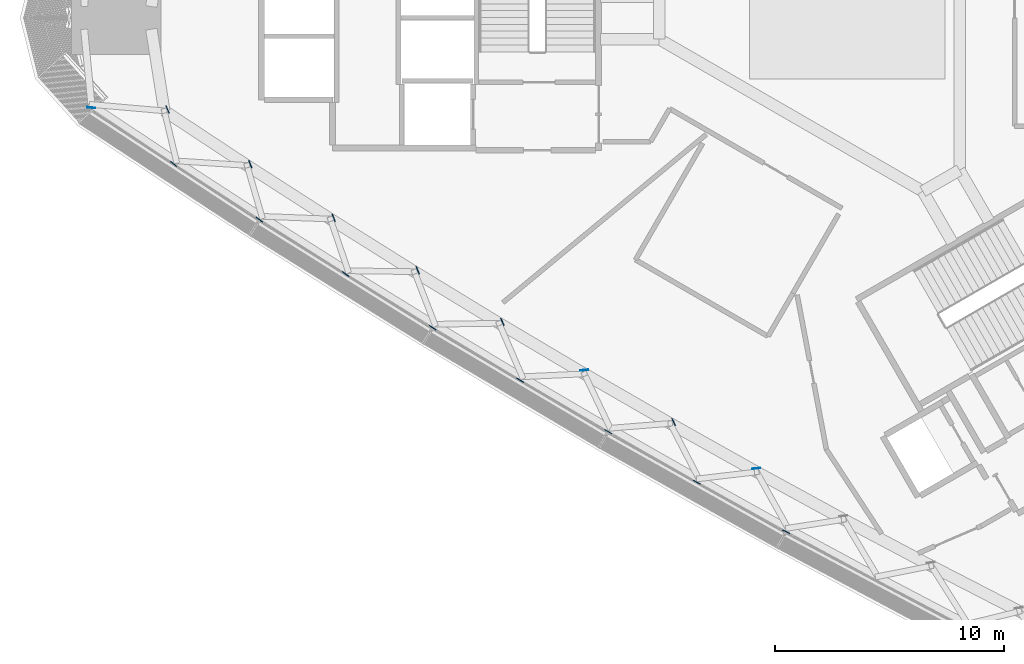
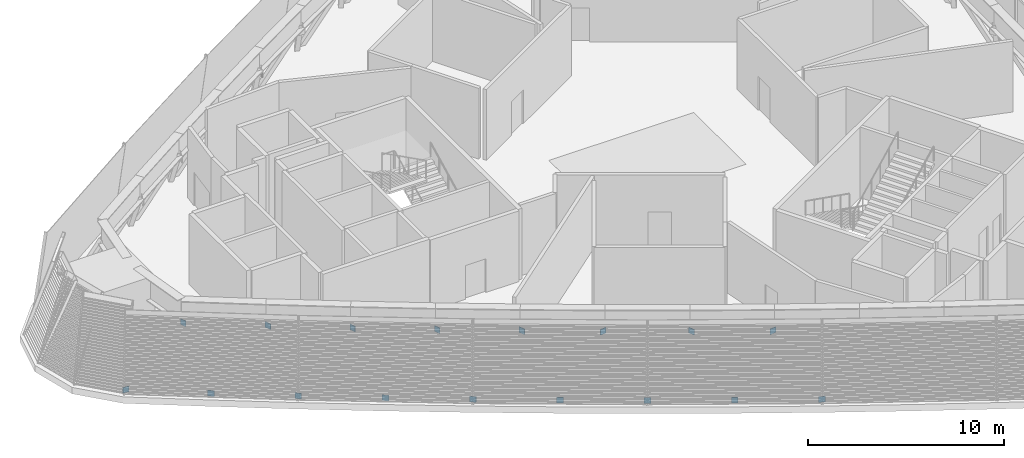
# One storey, part 6 of 17: 17 plates.
"""IFC4 building model written with IfcOpenShell, lengths in metres."""

from ifc_helpers import new_model, si_unit, direction, frame, origin, origin_2d, place, context, subcontext, project, spatial, rectangle, extrude, material, layer, layer_set, type_object, element, save


model = new_model("IFC4")

# Units and contexts
model_context = context("Model", 3, precision=1e-05, world=origin(), true_north=direction((0.0, 1.0)))
body_context = subcontext(model_context, "Body", "Model", "MODEL_VIEW")
ifc_project = project(units=[si_unit("LENGTHUNIT", "METRE"), si_unit("AREAUNIT", "SQUARE_METRE"), si_unit("VOLUMEUNIT", "CUBIC_METRE"), si_unit("PLANEANGLEUNIT", "RADIAN"), si_unit("MASSUNIT", "GRAM", prefix="KILO")], contexts=[model_context])

# Site, building, storey
site_placement = place(None, origin())
site = spatial("IfcSite", under=ifc_project, at=site_placement, CompositionType="ELEMENT")
building_placement = place(site_placement, origin())
building = spatial("IfcBuilding", under=site, at=building_placement, Name="Tamra Quay Hotel Tower", CompositionType="ELEMENT")
storey_placement = place(building_placement, frame((0.0, 0.0, 119.0)))
storey = spatial("IfcBuildingStorey", under=building, at=storey_placement, Name="L29", CompositionType="ELEMENT", Elevation=119.0)

# Plates
ifc_material = material(Name="Structural steel IS 2062 E350", Category="steel")
ifc_layer = layer(ifc_material, 0.030029296875)
ifc_layer_set = layer_set([ifc_layer], Name="BRACE END PLATE 30")
plate_type = type_object("IfcPlateType", Name="BRACE END PLATE 30", PredefinedType="SHEET", material=ifc_layer_set)
for number, where, z_axis, x_axis, name in (
    (1, (-32.963623046875, -3.916015625, -0.400146484375), (0.0, 0.0, 1.0), (0.08678018001, 0.996227484241, 0.0), "BEP-L29-027"),
    (2, (-29.363525390625, -6.372314453125, -0.400146484375), (0.0, 0.0, 1.0), (0.643983439778, 0.765039429894, 0.0), "BEP-L29-028"),
    (3, (-25.6279296875, -8.79296875, -0.400146484375), (0.0, 0.0, 1.0), (0.615925505691, 0.787804399225, 0.0), "BEP-L29-029"),
    (4, (-21.864990234375, -11.170654296875, -0.400146484375), (0.0, 0.0, 1.0), (0.587576256533, 0.809168797445, 0.0), "BEP-L29-030"),
    (5, (-18.0751953125, -13.5048828125, -0.400146484375), (0.0, 0.0, 1.0), (0.558776113109, 0.829318548821, 0.0), "BEP-L29-031"),
    (6, (-14.259033203125, -15.7958984375, -0.400146484375), (0.0, 0.0, 1.0), (0.529642452985, 0.848221004218, 0.0), "BEP-L29-032"),
    (7, (-10.4169921875, -18.042724609375, -0.400146484375), (0.0, 0.0, 1.0), (0.500009068969, 0.866020167749, 0.0), "BEP-L29-033"),
    (8, (-6.550048828125, -20.24658203125, -0.400146484375), (0.0, 0.0, 1.0), (0.469758170416, 0.882795141201, 0.0), "BEP-L29-034"),
    (9, (-2.658203125, -22.406005859375, -0.400146484375), (0.0, 0.0, 1.0), (0.43882914777, 0.898570519808, 0.0), "BEP-L29-035"),
    (10, (-29.62939453125, -3.99462890625, 2.64990234375), (0.0, 0.0, 1.0), (0.925475064417, 0.378808533618, 0.0), "BEP-L29-064"),
    (11, (-26.02197265625, -6.37841796875, 2.64990234375), (0.0, 0.0, 1.0), (0.931818602845, 0.362924360429, 0.0), "BEP-L29-065"),
    (12, (-22.38671875, -8.719482421875, 2.64990234375), (0.0, 0.0, 1.0), (0.938149042745, 0.346231676189, 0.0), "BEP-L29-066"),
    (13, (-18.723388671875, -11.008056640625, 2.64990234375), (0.0, 0.0, 1.0), (0.925809243152, 0.377991065099, 0.0), "BEP-L29-067"),
    (14, (-15.03369140625, -13.252685546875, 2.64990234375), (0.0, 0.0, 1.0), (0.912567443788, 0.408926228723, 0.0), "BEP-L29-068"),
    (15, (-11.47119140625, -15.360595703125, 2.64990234375), (0.0, 0.0, 1.0), (-0.087934648136, 0.996126245843, 0.0), "BEP-L29-069"),
    (16, (-7.567138671875, -17.61474609375, 2.64990234375), (0.0, 0.0, 1.0), (0.906640903806, 0.421903154225, 0.0), "BEP-L29-070"),
    (17, (-3.960205078125, -19.645751953125, 2.64990234375), (0.0, 0.0, 1.0), (-0.102138010943, 0.994770238156, 0.0), "BEP-L29-071"),
):
    element("IfcPlate", number, at=place(storey_placement, frame(where, z_axis=z_axis, x_axis=x_axis)), inside=storey, type_object=plate_type, Name=name, PredefinedType="SHEET", context=body_context, shape_type="SweptSolid", body=[
        extrude(rectangle(XDim=0.030029296875, YDim=0.35009765625, at=origin_2d()), origin(), (0.0, 0.0, 1.0), 0.35009765625),
    ])

save(model, "model.ifc")
